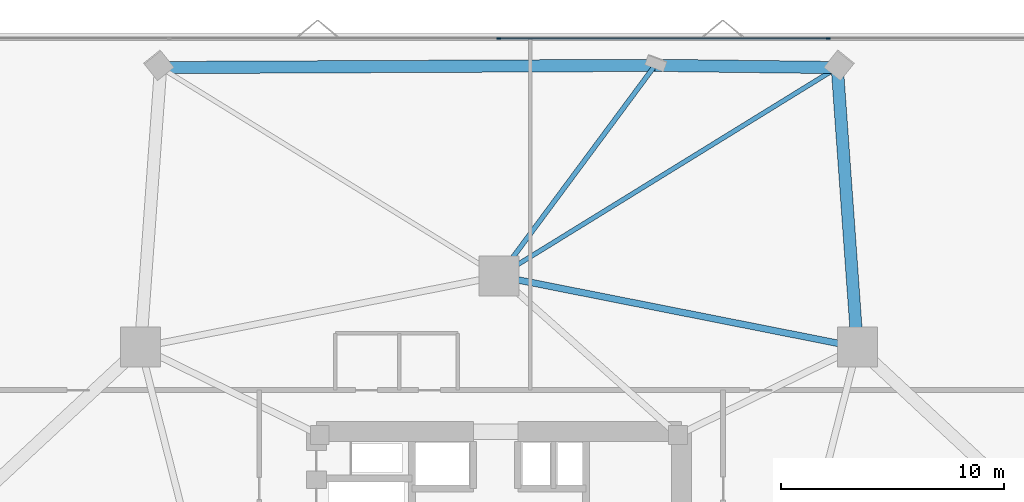
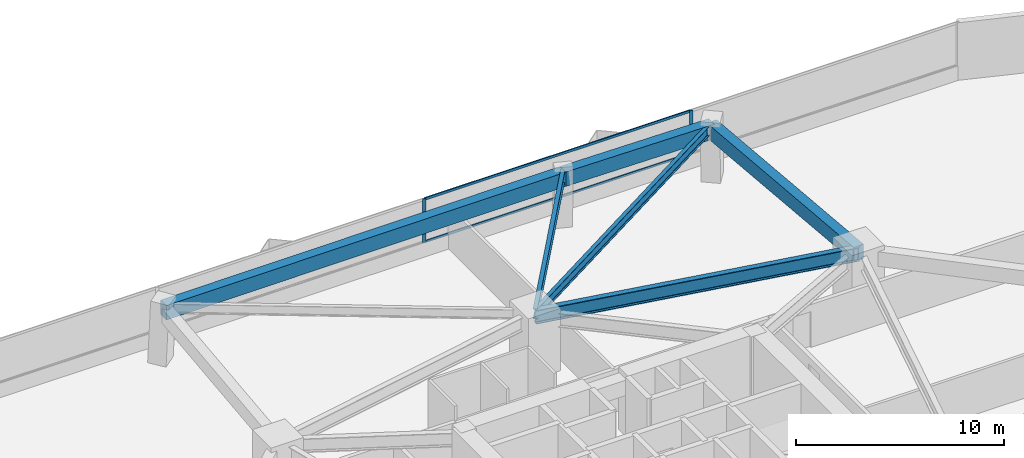
# One storey, part 12 of 20: 6 beams, 4 members, 1 element without a shape of its own.
"""IFC4 building model written with IfcOpenShell, lengths in metres."""

from ifc_helpers import new_model, si_unit, direction, frame, origin, origin_2d, place, context, subcontext, project, spatial, rectangle, i_section, extrude, material, layer, layer_set, material_profile, profile_set, type_object, element, aggregate, save


model = new_model("IFC4")

# Units and contexts
model_context = context("Model", 3, precision=1e-05, world=origin(), true_north=direction((0.0, 1.0)))
body_context = subcontext(model_context, "Body", "Model", "MODEL_VIEW")
ifc_project = project(units=[si_unit("LENGTHUNIT", "METRE"), si_unit("AREAUNIT", "SQUARE_METRE"), si_unit("VOLUMEUNIT", "CUBIC_METRE"), si_unit("PLANEANGLEUNIT", "RADIAN"), si_unit("MASSUNIT", "GRAM", prefix="KILO")], contexts=[model_context])

# Site, building, storey
site_placement = place(None, origin())
site = spatial("IfcSite", under=ifc_project, at=site_placement, CompositionType="ELEMENT")
building_placement = place(site_placement, origin())
building = spatial("IfcBuilding", under=site, at=building_placement, Name="Talyreon Biosciences Tower", CompositionType="ELEMENT")
storey_placement = place(building_placement, frame((0.0, 0.0, 30.10009765625)))
storey = spatial("IfcBuildingStorey", under=building, at=storey_placement, Name="L07", CompositionType="ELEMENT", Elevation=30.10009765625)

# Curtain wall, members
ifc_material_1 = material(Name="Thermally broken aluminium and low-E glazing", Category="aluminium")
ifc_layer = layer(ifc_material_1, 0.195068359375)
ifc_layer_set = layer_set([ifc_layer], Name="Thermally broken aluminium and low-E glazing")
curtain_wall_type = type_object("IfcCurtainWallType", Name="CurtainWall_Zone1WetLab", PredefinedType="NOTDEFINED", material=ifc_layer_set)
curtain_wall_placement = place(storey_placement, origin())
curtain_wall = element("IfcCurtainWall", 1, at=curtain_wall_placement, inside=storey, type_object=curtain_wall_type, Name="L07 Unitised Curtain Wall FCW-L07-04", PredefinedType="NOTDEFINED")
ifc_material_2 = material(Name="Anodised thermally broken aluminium", Category="aluminium")
ifc_material_profile_1 = material_profile(ifc_material_2, rectangle(XDim=0.06494140625, YDim=0.179931640625, at=origin_2d()), Name="ALUM MULLION 65x180")
ifc_profile_set_1 = profile_set([ifc_material_profile_1], Name="Anodised thermally broken aluminium")
member_type_1 = type_object("IfcMemberType", Name="CWMullion_65x180", PredefinedType="MULLION", material=ifc_profile_set_1)
member_1_placement = place(storey_placement, frame((66.0, 92.474365234375, 0.809814453125), z_axis=(0.0, 0.0, 1.0), x_axis=(0.0, 1.0, 0.0)))
member_1 = element("IfcMember", 2, at=member_1_placement, type_object=member_type_1, Name="CW2 mullion 3", PredefinedType="MULLION", context=body_context, shape_type="SweptSolid", body=[
    extrude(rectangle(XDim=0.06494140625, YDim=0.179931640625, at=origin_2d()), origin(), (0.0, 0.0, 1.0), 2.565185546875),
])
member_2_placement = place(storey_placement, frame((80.8056640625, 92.474365234375, 0.809814453125), z_axis=(0.0, 0.0, 1.0), x_axis=(0.0, 1.0, 0.0)))
member_2 = element("IfcMember", 3, at=member_2_placement, type_object=member_type_1, Name="CW2 mullion 4", PredefinedType="MULLION", context=body_context, shape_type="SweptSolid", body=[
    extrude(rectangle(XDim=0.06494140625, YDim=0.179931640625, at=origin_2d()), origin(), (0.0, 0.0, 1.0), 2.565185546875),
])
ifc_material_profile_2 = material_profile(ifc_material_2, rectangle(XDim=0.06494140625, YDim=0.139892578125, at=origin_2d()), Name="ALUM TRANSOM 65x140")
ifc_profile_set_2 = profile_set([ifc_material_profile_2], Name="Anodised thermally broken aluminium")
member_type_2 = type_object("IfcMemberType", Name="CWTransom_65x140", PredefinedType="USERDEFINED", material=ifc_profile_set_2)
member_3_placement = place(storey_placement, frame((66.032470703125, 92.474365234375, 0.84228515625), z_axis=(1.0, 0.0, 0.0), x_axis=(0.0, 1.0, 0.0)))
member_3 = element("IfcMember", 4, at=member_3_placement, type_object=member_type_2, Name="CW2 transom 3.1", ObjectType="TRANSOM", PredefinedType="USERDEFINED", context=body_context, shape_type="SweptSolid", body=[
    extrude(rectangle(XDim=0.06494140625, YDim=0.139892578125, at=origin_2d()), origin(), (0.0, 0.0, 1.0), 14.74072265625),
])
member_4_placement = place(storey_placement, frame((66.032470703125, 92.474365234375, 3.34228515625), z_axis=(1.0, 0.0, 0.0), x_axis=(0.0, 1.0, 0.0)))
member_4 = element("IfcMember", 5, at=member_4_placement, type_object=member_type_2, Name="CW2 transom 3.2", ObjectType="TRANSOM", PredefinedType="USERDEFINED", context=body_context, shape_type="SweptSolid", body=[
    extrude(rectangle(XDim=0.06494140625, YDim=0.139892578125, at=origin_2d()), origin(), (0.0, 0.0, 1.0), 14.74072265625),
])
aggregate(curtain_wall, [member_1, member_2, member_3, member_4])

# Beams
ifc_material_3 = material(Name="Precast concrete C45/55", Category="concrete")
ifc_material_profile_3 = material_profile(ifc_material_3, rectangle(XDim=0.550048828125, YDim=0.85009765625, at=origin_2d()), Name="RCB 550x850")
ifc_profile_set_3 = profile_set([ifc_material_profile_3], Name="Precast concrete C45/55")
beam_type_1 = type_object("IfcBeamType", Name="ExpressedSpandrel_550x850", PredefinedType="SPANDREL", material=ifc_profile_set_3)
beam_1_placement = place(storey_placement, frame((82.102294921875, 78.5986328125, 2.949951171875), z_axis=(-0.071497794265, 0.997440757847, 0.0), x_axis=(-0.997440757847, -0.071497794265, 0.0)))
element("IfcBeam", 6, at=beam_1_placement, inside=storey, type_object=beam_type_1, Name="L07 Expressed Horizontal Concrete Spandrel 05", PredefinedType="SPANDREL", context=body_context, shape_type="SweptSolid", body=[
    extrude(rectangle(XDim=0.550048828125, YDim=0.85009765625, at=origin_2d()), origin(), (0.0, 0.0, 1.0), 12.59326171875),
])
beam_2_placement = place(storey_placement, frame((81.201904296875, 91.15966796875, 2.949951171875), z_axis=(-0.999925239238, 0.012227670845, 0.0), x_axis=(-0.012227670845, -0.999925239238, 0.0)))
element("IfcBeam", 7, at=beam_2_placement, inside=storey, type_object=beam_type_1, Name="L07 Expressed Horizontal Concrete Spandrel 06", PredefinedType="SPANDREL", context=body_context, shape_type="SweptSolid", body=[
    extrude(rectangle(XDim=0.550048828125, YDim=0.85009765625, at=origin_2d()), origin(), (0.0, 0.0, 1.0), 8.186279296875),
])
beam_3_placement = place(storey_placement, frame((73.016357421875, 91.259765625, 2.949951171875), z_axis=(-0.999989851752, -0.00450515174, 0.0), x_axis=(0.00450515174, -0.999989851752, 0.0)))
element("IfcBeam", 8, at=beam_3_placement, inside=storey, type_object=beam_type_1, Name="L07 Expressed Horizontal Concrete Spandrel 07", PredefinedType="SPANDREL", context=body_context, shape_type="SweptSolid", body=[
    extrude(rectangle(XDim=0.550048828125, YDim=0.85009765625, at=origin_2d()), origin(), (0.0, 0.0, 1.0), 22.218505859375),
])
ifc_material_4 = material(Name="Steel SM355", Category="steel")
ifc_material_profile_4 = material_profile(ifc_material_4, i_section(OverallWidth=0.300048828125, OverallDepth=0.800048828125, WebThickness=0.017578125, FlangeThickness=0.032958984375, FilletRadius=0.030029296875, at=origin_2d()), Name="HE800B")
ifc_profile_set_4 = profile_set([ifc_material_profile_4], Name="Steel SM355")
beam_type_2 = type_object("IfcBeamType", Name="SteelGirder_HE800B", PredefinedType="BEAM", material=ifc_profile_set_4)
beam_4_placement = place(storey_placement, frame((82.102294921875, 78.5986328125, 2.974853515625), z_axis=(-0.980933730698, 0.194342522311, 0.0), x_axis=(-0.194342522311, -0.980933730698, 0.0)))
element("IfcBeam", 9, at=beam_4_placement, inside=storey, type_object=beam_type_2, Name="L07 Mega-Ring Girder 3", PredefinedType="BEAM", context=body_context, shape_type="SweptSolid", body=[
    extrude(i_section(OverallWidth=0.300048828125, OverallDepth=0.800048828125, WebThickness=0.017578125, FlangeThickness=0.032958984375, FilletRadius=0.030029296875, at=origin_2d()), origin(), (0.0, 0.0, 1.0), 16.415283203125),
])
ifc_material_profile_5 = material_profile(ifc_material_4, i_section(OverallWidth=0.2099609375, OverallDepth=0.550048828125, WebThickness=0.010986328125, FlangeThickness=0.01708984375, FilletRadius=0.02392578125, at=origin_2d()), Name="IPE550")
ifc_profile_set_5 = profile_set([ifc_material_profile_5], Name="Steel SM355")
beam_type_3 = type_object("IfcBeamType", Name="SteelJoist_IPE550", PredefinedType="JOIST", material=ifc_profile_set_5)
beam_5_placement = place(storey_placement, frame((66.0, 81.788818359375, 3.099853515625), z_axis=(0.851262372973, 0.524740290392, 0.0), x_axis=(-0.524740290392, 0.851262372973, 0.0)))
element("IfcBeam", 10, at=beam_5_placement, inside=storey, type_object=beam_type_3, Name="L07 Radial Composite Floor Joist PC-N1", PredefinedType="JOIST", context=body_context, shape_type="SweptSolid", body=[
    extrude(i_section(OverallWidth=0.2099609375, OverallDepth=0.550048828125, WebThickness=0.010986328125, FlangeThickness=0.01708984375, FilletRadius=0.02392578125, at=origin_2d()), origin(), (0.0, 0.0, 1.0), 17.858154296875),
])
ifc_material_profile_6 = material_profile(ifc_material_4, i_section(OverallWidth=0.219970703125, OverallDepth=0.60009765625, WebThickness=0.011962890625, FlangeThickness=0.01904296875, FilletRadius=0.02392578125, at=origin_2d()), Name="IPE600")
ifc_profile_set_6 = profile_set([ifc_material_profile_6], Name="Steel SM355")
beam_type_4 = type_object("IfcBeamType", Name="SteelJoist_IPE600", PredefinedType="JOIST", material=ifc_profile_set_6)
beam_6_placement = place(storey_placement, frame((66.0, 81.788818359375, 3.074951171875), z_axis=(0.595273617477, 0.803523067706, 0.0), x_axis=(-0.803523067706, 0.595273617477, 0.0)))
element("IfcBeam", 11, at=beam_6_placement, inside=storey, type_object=beam_type_4, Name="L07 Radial Composite Floor Joist PL-N", PredefinedType="JOIST", context=body_context, shape_type="SweptSolid", body=[
    extrude(i_section(OverallWidth=0.219970703125, OverallDepth=0.60009765625, WebThickness=0.011962890625, FlangeThickness=0.01904296875, FilletRadius=0.02392578125, at=origin_2d()), origin(), (0.0, 0.0, 1.0), 11.786865234375),
])

save(model, "model.ifc")
